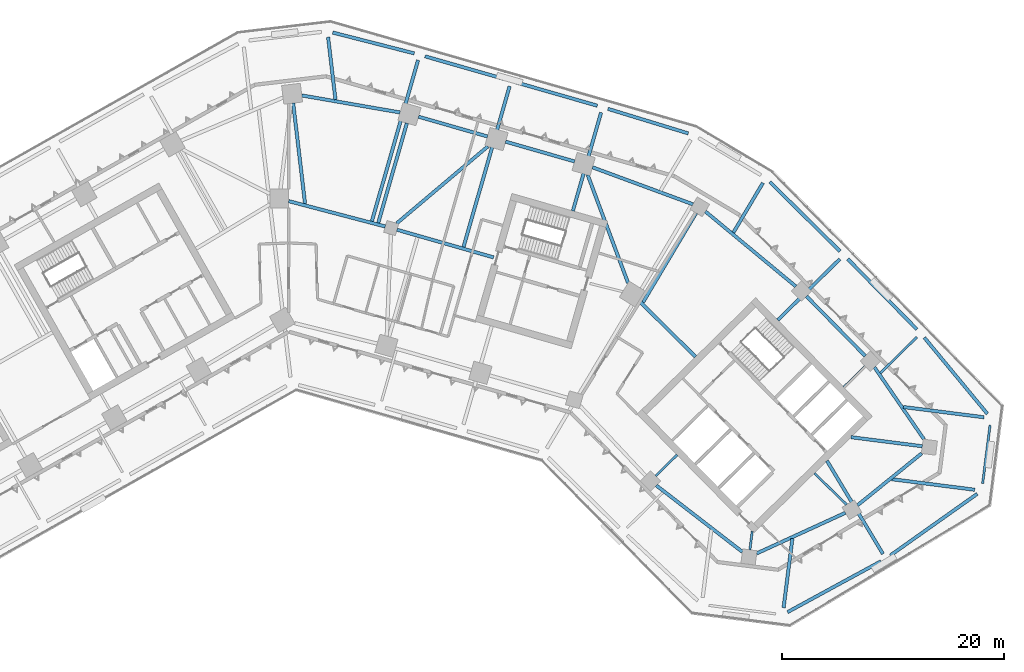
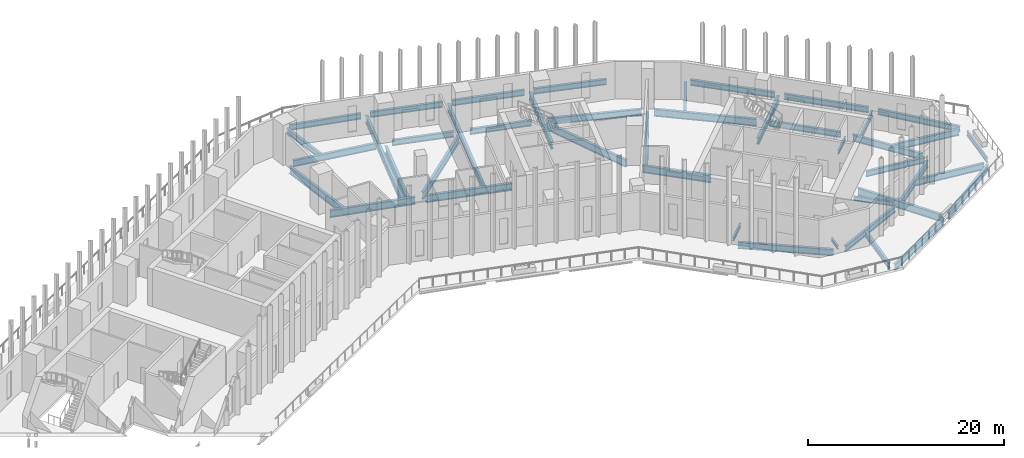
# One storey, part 3 of 17: 44 beams.
"""IFC4 building model written with IfcOpenShell, lengths in metres."""

from ifc_helpers import new_model, si_unit, direction, frame, origin, origin_2d, place, context, subcontext, project, spatial, i_section, extrude, material, material_profile, profile_set, type_object, element, save


model = new_model("IFC4")

# Units and contexts
model_context = context("Model", 3, precision=1e-05, world=origin(), true_north=direction((0.0, 1.0)))
body_context = subcontext(model_context, "Body", "Model", "MODEL_VIEW")
ifc_project = project(units=[si_unit("LENGTHUNIT", "METRE"), si_unit("AREAUNIT", "SQUARE_METRE"), si_unit("VOLUMEUNIT", "CUBIC_METRE"), si_unit("PLANEANGLEUNIT", "RADIAN"), si_unit("MASSUNIT", "GRAM", prefix="KILO")], contexts=[model_context])

# Site, building, storey
site_placement = place(None, origin())
site = spatial("IfcSite", under=ifc_project, at=site_placement, CompositionType="ELEMENT")
building_placement = place(site_placement, origin())
building = spatial("IfcBuilding", under=site, at=building_placement, Name="Binnacle Exchange Tower", CompositionType="ELEMENT")
storey_placement = place(building_placement, frame((0.0, 0.0, 26.5)))
storey = spatial("IfcBuildingStorey", under=building, at=storey_placement, Name="L05", CompositionType="ELEMENT", Elevation=26.5)

# Beams
ifc_material = material(Name="Steel S355 (SHN355)", Category="steel")
ifc_material_profile_1 = material_profile(ifc_material, i_section(OverallWidth=0.200927734375, OverallDepth=0.60595703125, WebThickness=0.011962890625, FlangeThickness=0.02001953125, FilletRadius=0.02197265625, at=origin_2d()), Name="H 606x201x12x20")
ifc_profile_set_1 = profile_set([ifc_material_profile_1], Name="Steel S355 (SHN355)")
beam_type_1 = type_object("IfcBeamType", Name="Edge girder H 606x201x12x20 Steel S355 (SHN355)", PredefinedType="SPANDREL", material=ifc_profile_set_1)
beam_1_placement = place(storey_placement, frame((63.271728515625, 39.56591796875, -0.623046875), z_axis=(-0.126220609822, -0.992002196397, 0.0), x_axis=(0.992002196397, -0.126220609822, 0.0)))
element("IfcBeam", 1, at=beam_1_placement, inside=storey, type_object=beam_type_1, Name="S:BM:edge:L05:075", PredefinedType="SPANDREL", context=body_context, shape_type="SweptSolid", body=[
    extrude(i_section(OverallWidth=0.200927734375, OverallDepth=0.60595703125, WebThickness=0.011962890625, FlangeThickness=0.02001953125, FilletRadius=0.02197265625, at=origin_2d()), origin(), (0.0, 0.0, 1.0), 5.319091796875),
])
ifc_material_profile_2 = material_profile(ifc_material, i_section(OverallWidth=0.300048828125, OverallDepth=0.699951171875, WebThickness=0.012939453125, FlangeThickness=0.02392578125, FilletRadius=0.028076171875, at=origin_2d()), Name="H 700x300x13x24")
ifc_profile_set_2 = profile_set([ifc_material_profile_2], Name="Steel S355 (SHN355)")
beam_type_2 = type_object("IfcBeamType", Name="Edge girder H 700x300x13x24 Steel S355 (SHN355)", PredefinedType="SPANDREL", material=ifc_profile_set_2)
beam_2_placement = place(storey_placement, frame((3.970703125, 74.985595703125, -0.669921875), z_axis=(0.96888078872, -0.247527811062, 0.0), x_axis=(0.247527811062, 0.96888078872, 0.0)))
element("IfcBeam", 2, at=beam_2_placement, inside=storey, type_object=beam_type_2, Name="S:BM:edge:L05:046", PredefinedType="SPANDREL", context=body_context, shape_type="SweptSolid", body=[
    extrude(i_section(OverallWidth=0.300048828125, OverallDepth=0.699951171875, WebThickness=0.012939453125, FlangeThickness=0.02392578125, FilletRadius=0.028076171875, at=origin_2d()), origin(), (0.0, 0.0, 1.0), 7.589599609375),
])
beam_3_placement = place(storey_placement, frame((12.289306640625, 72.84521484375, -0.669921875), z_axis=(0.961270944274, -0.275605100996, 0.0), x_axis=(0.275605100996, 0.961270944274, 0.0)))
element("IfcBeam", 3, at=beam_3_placement, inside=storey, type_object=beam_type_2, Name="S:BM:edge:L05:050", PredefinedType="SPANDREL", context=body_context, shape_type="SweptSolid", body=[
    extrude(i_section(OverallWidth=0.300048828125, OverallDepth=0.699951171875, WebThickness=0.012939453125, FlangeThickness=0.02392578125, FilletRadius=0.028076171875, at=origin_2d()), origin(), (0.0, 0.0, 1.0), 7.586181640625),
])
beam_4_placement = place(storey_placement, frame((17.92919921875, 65.610595703125, -0.669921875), z_axis=(-0.961261624999, 0.275637603213, 0.0), x_axis=(-0.275637603213, -0.961261624999, 0.0)))
element("IfcBeam", 4, at=beam_4_placement, inside=storey, type_object=beam_type_2, Name="S:BM:edge:L05:052", PredefinedType="SPANDREL", context=body_context, shape_type="SweptSolid", body=[
    extrude(i_section(OverallWidth=0.300048828125, OverallDepth=0.699951171875, WebThickness=0.012939453125, FlangeThickness=0.02392578125, FilletRadius=0.028076171875, at=origin_2d()), origin(), (0.0, 0.0, 1.0), 6.472900390625),
])
beam_5_placement = place(storey_placement, frame((20.54296875, 70.478759765625, -0.669921875), z_axis=(0.961262417922, -0.275634837948, 0.0), x_axis=(0.275634837948, 0.961262417922, 0.0)))
element("IfcBeam", 5, at=beam_5_placement, inside=storey, type_object=beam_type_2, Name="S:BM:edge:L05:054", PredefinedType="SPANDREL", context=body_context, shape_type="SweptSolid", body=[
    extrude(i_section(OverallWidth=0.300048828125, OverallDepth=0.699951171875, WebThickness=0.012939453125, FlangeThickness=0.02392578125, FilletRadius=0.028076171875, at=origin_2d()), origin(), (0.0, 0.0, 1.0), 7.58642578125),
])
beam_6_placement = place(storey_placement, frame((25.78564453125, 63.35791015625, -0.669921875), z_axis=(-0.961271618025, 0.275602751036, 0.0), x_axis=(-0.275602751036, -0.961271618025, 0.0)))
element("IfcBeam", 6, at=beam_6_placement, inside=storey, type_object=beam_type_2, Name="S:BM:edge:L05:056", PredefinedType="SPANDREL", context=body_context, shape_type="SweptSolid", body=[
    extrude(i_section(OverallWidth=0.300048828125, OverallDepth=0.699951171875, WebThickness=0.012939453125, FlangeThickness=0.02392578125, FilletRadius=0.028076171875, at=origin_2d()), origin(), (0.0, 0.0, 1.0), 6.472900390625),
])
beam_7_placement = place(storey_placement, frame((28.794189453125, 68.103515625, -0.669921875), z_axis=(0.956298600783, -0.292391836653, 0.0), x_axis=(0.292391836653, 0.956298600783, 0.0)))
element("IfcBeam", 7, at=beam_7_placement, inside=storey, type_object=beam_type_2, Name="S:BM:edge:L05:058", PredefinedType="SPANDREL", context=body_context, shape_type="SweptSolid", body=[
    extrude(i_section(OverallWidth=0.300048828125, OverallDepth=0.699951171875, WebThickness=0.012939453125, FlangeThickness=0.02392578125, FilletRadius=0.028076171875, at=origin_2d()), origin(), (0.0, 0.0, 1.0), 7.58740234375),
])
beam_8_placement = place(storey_placement, frame((52.010986328125, 45.802978515625, -0.669921875), z_axis=(-0.700905226564, 0.713254417004, 0.0), x_axis=(-0.713254417004, -0.700905226564, 0.0)))
element("IfcBeam", 8, at=beam_8_placement, inside=storey, type_object=beam_type_2, Name="S:BM:edge:L05:070", PredefinedType="SPANDREL", context=body_context, shape_type="SweptSolid", body=[
    extrude(i_section(OverallWidth=0.300048828125, OverallDepth=0.699951171875, WebThickness=0.012939453125, FlangeThickness=0.02392578125, FilletRadius=0.028076171875, at=origin_2d()), origin(), (0.0, 0.0, 1.0), 7.57177734375),
])
ifc_material_profile_3 = material_profile(ifc_material, i_section(OverallWidth=0.302001953125, OverallDepth=0.7080078125, WebThickness=0.014892578125, FlangeThickness=0.028076171875, FilletRadius=0.028076171875, at=origin_2d()), Name="H 708x302x15x28")
ifc_profile_set_3 = profile_set([ifc_material_profile_3], Name="Steel S355 (SHN355)")
beam_type_3 = type_object("IfcBeamType", Name="Edge girder H 708x302x15x28 Steel S355 (SHN355)", PredefinedType="SPANDREL", material=ifc_profile_set_3)
beam_9_placement = place(storey_placement, frame((42.215576171875, 27.99365234375, -0.674072265625), z_axis=(0.909179052108, 0.416405392866, 0.0), x_axis=(-0.416405392866, 0.909179052108, 0.0)))
element("IfcBeam", 9, at=beam_9_placement, inside=storey, type_object=beam_type_3, Name="S:BM:edge:L05:064", PredefinedType="SPANDREL", context=body_context, shape_type="SweptSolid", body=[
    extrude(i_section(OverallWidth=0.302001953125, OverallDepth=0.7080078125, WebThickness=0.014892578125, FlangeThickness=0.028076171875, FilletRadius=0.028076171875, at=origin_2d()), origin(), (0.0, 0.0, 1.0), 8.801025390625),
])
beam_10_placement = place(storey_placement, frame((43.398193359375, 61.51220703125, -0.674072265625), z_axis=(0.711633547042, -0.702550848497, 0.0), x_axis=(0.702550848497, 0.711633547042, 0.0)))
element("IfcBeam", 10, at=beam_10_placement, inside=storey, type_object=beam_type_3, Name="S:BM:edge:L05:065", PredefinedType="SPANDREL", context=body_context, shape_type="SweptSolid", body=[
    extrude(i_section(OverallWidth=0.302001953125, OverallDepth=0.7080078125, WebThickness=0.014892578125, FlangeThickness=0.028076171875, FilletRadius=0.028076171875, at=origin_2d()), origin(), (0.0, 0.0, 1.0), 8.897216796875),
])
beam_11_placement = place(storey_placement, frame((50.436279296875, 54.553466796875, -0.674072265625), z_axis=(0.700891088092, -0.713268310408, 0.0), x_axis=(0.713268310408, 0.700891088092, 0.0)))
element("IfcBeam", 11, at=beam_11_placement, inside=storey, type_object=beam_type_3, Name="S:BM:edge:L05:068", PredefinedType="SPANDREL", context=body_context, shape_type="SweptSolid", body=[
    extrude(i_section(OverallWidth=0.302001953125, OverallDepth=0.7080078125, WebThickness=0.014892578125, FlangeThickness=0.028076171875, FilletRadius=0.028076171875, at=origin_2d()), origin(), (0.0, 0.0, 1.0), 8.89599609375),
])
beam_12_placement = place(storey_placement, frame((57.341796875, 47.46484375, -0.674072265625), z_axis=(0.63729683622, -0.770618415653, 0.0), x_axis=(0.770618415653, 0.63729683622, 0.0)))
element("IfcBeam", 12, at=beam_12_placement, inside=storey, type_object=beam_type_3, Name="S:BM:edge:L05:073", PredefinedType="SPANDREL", context=body_context, shape_type="SweptSolid", body=[
    extrude(i_section(OverallWidth=0.302001953125, OverallDepth=0.7080078125, WebThickness=0.014892578125, FlangeThickness=0.028076171875, FilletRadius=0.028076171875, at=origin_2d()), origin(), (0.0, 0.0, 1.0), 8.928955078125),
])
ifc_material_profile_4 = material_profile(ifc_material, i_section(OverallWidth=0.300048828125, OverallDepth=0.800048828125, WebThickness=0.013916015625, FlangeThickness=0.02587890625, FilletRadius=0.028076171875, at=origin_2d()), Name="H 800x300x14x26")
ifc_profile_set_4 = profile_set([ifc_material_profile_4], Name="Steel S355 (SHN355)")
beam_type_4 = type_object("IfcBeamType", Name="Edge girder H 800x300x14x26 Steel S355 (SHN355)", PredefinedType="SPANDREL", material=ifc_profile_set_4)
beam_13_placement = place(storey_placement, frame((10.047607421875, 67.77490234375, -0.719970703125), z_axis=(-0.985312460293, 0.17076110679, 0.0), x_axis=(-0.17076110679, -0.985312460293, 0.0)))
element("IfcBeam", 13, at=beam_13_placement, inside=storey, type_object=beam_type_4, Name="S:BM:edge:L05:049", PredefinedType="SPANDREL", context=body_context, shape_type="SweptSolid", body=[
    extrude(i_section(OverallWidth=0.300048828125, OverallDepth=0.800048828125, WebThickness=0.013916015625, FlangeThickness=0.02587890625, FilletRadius=0.028076171875, at=origin_2d()), origin(), (0.0, 0.0, 1.0), 9.005859375),
])
beam_14_placement = place(storey_placement, frame((53.42431640625, 27.28369140625, -0.719970703125), z_axis=(-0.878284521439, -0.478138368468, 0.0), x_axis=(0.478138368468, -0.878284521439, 0.0)))
element("IfcBeam", 14, at=beam_14_placement, inside=storey, type_object=beam_type_4, Name="S:BM:edge:L05:071", PredefinedType="SPANDREL", context=body_context, shape_type="SweptSolid", body=[
    extrude(i_section(OverallWidth=0.300048828125, OverallDepth=0.800048828125, WebThickness=0.013916015625, FlangeThickness=0.02587890625, FilletRadius=0.028076171875, at=origin_2d()), origin(), (0.0, 0.0, 1.0), 9.588134765625),
])
beam_15_placement = place(storey_placement, frame((57.305419921875, 38.299072265625, -0.719970703125), z_axis=(-0.566409202341, 0.82412415054, 0.0), x_axis=(-0.82412415054, -0.566409202341, 0.0)))
element("IfcBeam", 15, at=beam_15_placement, inside=storey, type_object=beam_type_4, Name="S:BM:edge:L05:072", PredefinedType="SPANDREL", context=body_context, shape_type="SweptSolid", body=[
    extrude(i_section(OverallWidth=0.300048828125, OverallDepth=0.800048828125, WebThickness=0.013916015625, FlangeThickness=0.02587890625, FilletRadius=0.028076171875, at=origin_2d()), origin(), (0.0, 0.0, 1.0), 7.8828125),
])
beam_16_placement = place(storey_placement, frame((62.111083984375, 33.36767578125, -0.719970703125), z_axis=(-0.815901600123, -0.578190780726, 0.0), x_axis=(0.578190780726, -0.815901600123, 0.0)))
element("IfcBeam", 16, at=beam_16_placement, inside=storey, type_object=beam_type_4, Name="S:BM:edge:L05:074", PredefinedType="SPANDREL", context=body_context, shape_type="SweptSolid", body=[
    extrude(i_section(OverallWidth=0.300048828125, OverallDepth=0.800048828125, WebThickness=0.013916015625, FlangeThickness=0.02587890625, FilletRadius=0.028076171875, at=origin_2d()), origin(), (0.0, 0.0, 1.0), 9.60693359375),
])
ifc_material_profile_5 = material_profile(ifc_material, i_section(OverallWidth=0.302001953125, OverallDepth=0.80810546875, WebThickness=0.01611328125, FlangeThickness=0.030029296875, FilletRadius=0.028076171875, at=origin_2d()), Name="H 808x302x16x30")
ifc_profile_set_5 = profile_set([ifc_material_profile_5], Name="Steel S355 (SHN355)")
beam_type_5 = type_object("IfcBeamType", Name="Edge girder H 808x302x16x30 Steel S355 (SHN355)", PredefinedType="SPANDREL", material=ifc_profile_set_5)
beam_17_placement = place(storey_placement, frame((33.160400390625, 34.12890625, -0.72412109375), z_axis=(0.791533490776, -0.611125791454, 0.0), x_axis=(0.611125791454, 0.791533490776, 0.0)))
element("IfcBeam", 17, at=beam_17_placement, inside=storey, type_object=beam_type_5, Name="S:BM:edge:L05:060", PredefinedType="SPANDREL", context=body_context, shape_type="SweptSolid", body=[
    extrude(i_section(OverallWidth=0.302001953125, OverallDepth=0.80810546875, WebThickness=0.01611328125, FlangeThickness=0.030029296875, FilletRadius=0.028076171875, at=origin_2d()), origin(), (0.0, 0.0, 1.0), 9.80712890625),
])
beam_18_placement = place(storey_placement, frame((36.464599609375, 59.490966796875, -0.72412109375), z_axis=(-0.938368148393, 0.345637408395, 0.0), x_axis=(-0.345637408395, -0.938368148393, 0.0)))
element("IfcBeam", 18, at=beam_18_placement, inside=storey, type_object=beam_type_5, Name="S:BM:edge:L05:061", PredefinedType="SPANDREL", context=body_context, shape_type="SweptSolid", body=[
    extrude(i_section(OverallWidth=0.302001953125, OverallDepth=0.80810546875, WebThickness=0.01611328125, FlangeThickness=0.030029296875, FilletRadius=0.028076171875, at=origin_2d()), origin(), (0.0, 0.0, 1.0), 9.6572265625),
])
beam_19_placement = place(storey_placement, frame((51.322265625, 32.343505859375, -0.72412109375), z_axis=(0.777568489665, 0.628798253719, 0.0), x_axis=(-0.628798253719, 0.777568489665, 0.0)))
element("IfcBeam", 19, at=beam_19_placement, inside=storey, type_object=beam_type_5, Name="S:BM:edge:L05:069", PredefinedType="SPANDREL", context=body_context, shape_type="SweptSolid", body=[
    extrude(i_section(OverallWidth=0.302001953125, OverallDepth=0.80810546875, WebThickness=0.01611328125, FlangeThickness=0.030029296875, FilletRadius=0.028076171875, at=origin_2d()), origin(), (0.0, 0.0, 1.0), 7.428955078125),
])
ifc_material_profile_6 = material_profile(ifc_material, i_section(OverallWidth=0.300048828125, OverallDepth=0.89990234375, WebThickness=0.01611328125, FlangeThickness=0.028076171875, FilletRadius=0.028076171875, at=origin_2d()), Name="H 900x300x16x28")
ifc_profile_set_6 = profile_set([ifc_material_profile_6], Name="Steel S355 (SHN355)")
beam_type_6 = type_object("IfcBeamType", Name="Edge girder H 900x300x16x28 Steel S355 (SHN355)", PredefinedType="SPANDREL", material=ifc_profile_set_6)
beam_20_placement = place(storey_placement, frame((45.7451171875, 52.084228515625, -0.77001953125), z_axis=(-0.769906025895, 0.638157277864, 0.0), x_axis=(-0.638157277864, -0.769906025895, 0.0)))
element("IfcBeam", 20, at=beam_20_placement, inside=storey, type_object=beam_type_6, Name="S:BM:edge:L05:067", PredefinedType="SPANDREL", context=body_context, shape_type="SweptSolid", body=[
    extrude(i_section(OverallWidth=0.300048828125, OverallDepth=0.89990234375, WebThickness=0.01611328125, FlangeThickness=0.028076171875, FilletRadius=0.028076171875, at=origin_2d()), origin(), (0.0, 0.0, 1.0), 10.59033203125),
])
ifc_material_profile_7 = material_profile(ifc_material, i_section(OverallWidth=0.199951171875, OverallDepth=0.39990234375, WebThickness=0.008056640625, FlangeThickness=0.012939453125, FilletRadius=0.01611328125, at=origin_2d()), Name="H 400x200x8x13")
ifc_profile_set_7 = profile_set([ifc_material_profile_7], Name="Steel S355 (SHN355)")
beam_type_7 = type_object("IfcBeamType", Name="Floor beam H 400x200x8x13 Steel S355 (SHN355)", PredefinedType="BEAM", material=ifc_profile_set_7)
beam_21_placement = place(storey_placement, frame((41.601806640625, 28.319580078125, -0.52001953125), z_axis=(0.126197116971, 0.992005185303, 0.0), x_axis=(-0.992005185303, 0.126197116971, 0.0)))
element("IfcBeam", 21, at=beam_21_placement, inside=storey, type_object=beam_type_7, Name="S:BM:cross:L05:118", PredefinedType="BEAM", context=body_context, shape_type="SweptSolid", body=[
    extrude(i_section(OverallWidth=0.199951171875, OverallDepth=0.39990234375, WebThickness=0.008056640625, FlangeThickness=0.012939453125, FilletRadius=0.01611328125, at=origin_2d()), origin(), (0.0, 0.0, 1.0), 1.68115234375),
])
ifc_material_profile_8 = material_profile(ifc_material, i_section(OverallWidth=0.199951171875, OverallDepth=0.449951171875, WebThickness=0.009033203125, FlangeThickness=0.013916015625, FilletRadius=0.01806640625, at=origin_2d()), Name="H 450x200x9x14")
ifc_profile_set_8 = profile_set([ifc_material_profile_8], Name="Steel S355 (SHN355)")
beam_type_8 = type_object("IfcBeamType", Name="Floor beam H 450x200x9x14 Steel S355 (SHN355)", PredefinedType="BEAM", material=ifc_profile_set_8)
for number, where, z_axis, x_axis, name in (
    (22, (33.104736328125, 34.985595703125, -0.544921875), (0.713254209224, 0.700905438004, 0.0), (-0.700905438004, 0.713254209224, 0.0), "S:BM:cross:L05:114"),
    (23, (52.003173828125, 44.8837890625, -0.544921875), (-0.713254209224, -0.700905438004, 0.0), (0.700905438004, -0.713254209224, 0.0), "S:BM:cross:L05:122"),
):
    element("IfcBeam", number, at=place(storey_placement, frame(where, z_axis=z_axis, x_axis=x_axis)), inside=storey, type_object=beam_type_8, Name=name, PredefinedType="BEAM", context=body_context, shape_type="SweptSolid", body=[
        extrude(i_section(OverallWidth=0.199951171875, OverallDepth=0.449951171875, WebThickness=0.009033203125, FlangeThickness=0.013916015625, FilletRadius=0.01806640625, at=origin_2d()), origin(), (0.0, 0.0, 1.0), 2.70849609375),
    ])
ifc_material_profile_9 = material_profile(ifc_material, i_section(OverallWidth=0.200927734375, OverallDepth=0.60595703125, WebThickness=0.011962890625, FlangeThickness=0.02001953125, FilletRadius=0.02197265625, at=origin_2d()), Name="H 606x201x12x20")
ifc_profile_set_9 = profile_set([ifc_material_profile_9], Name="Steel S355 (SHN355)")
beam_type_9 = type_object("IfcBeamType", Name="Floor beam H 606x201x12x20 Steel S355 (SHN355)", PredefinedType="BEAM", material=ifc_profile_set_9)
beam_22_placement = place(storey_placement, frame((56.665283203125, 47.501220703125, -0.623046875), z_axis=(-0.713253693622, -0.70090596269, 0.0), x_axis=(0.70090596269, -0.713253693622, 0.0)))
element("IfcBeam", 24, at=beam_22_placement, inside=storey, type_object=beam_type_9, Name="S:BM:cross:L05:124", PredefinedType="BEAM", context=body_context, shape_type="SweptSolid", body=[
    extrude(i_section(OverallWidth=0.200927734375, OverallDepth=0.60595703125, WebThickness=0.011962890625, FlangeThickness=0.02001953125, FilletRadius=0.02197265625, at=origin_2d()), origin(), (0.0, 0.0, 1.0), 4.60693359375),
])
ifc_material_profile_10 = material_profile(ifc_material, i_section(OverallWidth=0.300048828125, OverallDepth=0.699951171875, WebThickness=0.012939453125, FlangeThickness=0.02392578125, FilletRadius=0.028076171875, at=origin_2d()), Name="H 700x300x13x24")
ifc_profile_set_10 = profile_set([ifc_material_profile_10], Name="Steel S355 (SHN355)")
beam_type_10 = type_object("IfcBeamType", Name="Floor beam H 700x300x13x24 Steel S355 (SHN355)", PredefinedType="BEAM", material=ifc_profile_set_10)
beam_23_placement = place(storey_placement, frame((3.5498046875, 74.571044921875, -0.669921875), z_axis=(0.117529616855, -0.993069377819, 0.0), x_axis=(0.993069377819, 0.117529616855, 0.0)))
element("IfcBeam", 25, at=beam_23_placement, inside=storey, type_object=beam_type_10, Name="S:BM:cross:L05:104", PredefinedType="BEAM", context=body_context, shape_type="SweptSolid", body=[
    extrude(i_section(OverallWidth=0.300048828125, OverallDepth=0.699951171875, WebThickness=0.012939453125, FlangeThickness=0.02392578125, FilletRadius=0.028076171875, at=origin_2d()), origin(), (0.0, 0.0, 1.0), 5.67919921875),
])
beam_24_placement = place(storey_placement, frame((42.778076171875, 61.419189453125, -0.669921875), z_axis=(-0.511272874429, -0.859418435847, 0.0), x_axis=(0.859418435847, -0.511272874429, 0.0)))
element("IfcBeam", 26, at=beam_24_placement, inside=storey, type_object=beam_type_10, Name="S:BM:cross:L05:119", PredefinedType="BEAM", context=body_context, shape_type="SweptSolid", body=[
    extrude(i_section(OverallWidth=0.300048828125, OverallDepth=0.699951171875, WebThickness=0.012939453125, FlangeThickness=0.02392578125, FilletRadius=0.028076171875, at=origin_2d()), origin(), (0.0, 0.0, 1.0), 5.208251953125),
])
beam_25_placement = place(storey_placement, frame((44.643798828125, 23.091552734375, -0.669921875), z_axis=(0.126227881038, 0.992001271193, 0.0), x_axis=(-0.992001271193, 0.126227881038, 0.0)))
element("IfcBeam", 27, at=beam_25_placement, inside=storey, type_object=beam_type_10, Name="S:BM:cross:L05:120", PredefinedType="BEAM", context=body_context, shape_type="SweptSolid", body=[
    extrude(i_section(OverallWidth=0.300048828125, OverallDepth=0.699951171875, WebThickness=0.012939453125, FlangeThickness=0.02392578125, FilletRadius=0.028076171875, at=origin_2d()), origin(), (0.0, 0.0, 1.0), 6.287841796875),
])
beam_26_placement = place(storey_placement, frame((57.154296875, 37.6630859375, -0.669921875), z_axis=(-0.992006658356, 0.126185537116, 0.0), x_axis=(-0.126185537116, -0.992006658356, 0.0)))
element("IfcBeam", 28, at=beam_26_placement, inside=storey, type_object=beam_type_10, Name="S:BM:cross:L05:125", PredefinedType="BEAM", context=body_context, shape_type="SweptSolid", body=[
    extrude(i_section(OverallWidth=0.300048828125, OverallDepth=0.699951171875, WebThickness=0.012939453125, FlangeThickness=0.02392578125, FilletRadius=0.028076171875, at=origin_2d()), origin(), (0.0, 0.0, 1.0), 6.4814453125),
])
ifc_material_profile_11 = material_profile(ifc_material, i_section(OverallWidth=0.300048828125, OverallDepth=0.800048828125, WebThickness=0.013916015625, FlangeThickness=0.02587890625, FilletRadius=0.028076171875, at=origin_2d()), Name="H 800x300x14x26")
ifc_profile_set_11 = profile_set([ifc_material_profile_11], Name="Steel S355 (SHN355)")
beam_type_11 = type_object("IfcBeamType", Name="Floor beam H 800x300x14x26 Steel S355 (SHN355)", PredefinedType="BEAM", material=ifc_profile_set_11)
beam_27_placement = place(storey_placement, frame((62.720458984375, 40.277587890625, -0.719970703125), z_axis=(-0.992000413131, 0.126234624202, 0.0), x_axis=(-0.126234624202, -0.992000413131, 0.0)))
element("IfcBeam", 29, at=beam_27_placement, inside=storey, type_object=beam_type_11, Name="S:BM:cross:L05:127", PredefinedType="BEAM", context=body_context, shape_type="SweptSolid", body=[
    extrude(i_section(OverallWidth=0.300048828125, OverallDepth=0.800048828125, WebThickness=0.013916015625, FlangeThickness=0.02587890625, FilletRadius=0.028076171875, at=origin_2d()), origin(), (0.0, 0.0, 1.0), 7.333740234375),
])
ifc_material_profile_12 = material_profile(ifc_material, i_section(OverallWidth=0.302001953125, OverallDepth=0.80810546875, WebThickness=0.01611328125, FlangeThickness=0.030029296875, FilletRadius=0.028076171875, at=origin_2d()), Name="H 808x302x16x30")
ifc_profile_set_12 = profile_set([ifc_material_profile_12], Name="Steel S355 (SHN355)")
beam_type_12 = type_object("IfcBeamType", Name="Floor beam H 808x302x16x30 Steel S355 (SHN355)", PredefinedType="BEAM", material=ifc_profile_set_12)
beam_28_placement = place(storey_placement, frame((49.72900390625, 54.5595703125, -0.72412109375), z_axis=(-0.713254513072, -0.700905128803, 0.0), x_axis=(0.700905128803, -0.713254513072, 0.0)))
element("IfcBeam", 30, at=beam_28_placement, inside=storey, type_object=beam_type_12, Name="S:BM:cross:L05:121", PredefinedType="BEAM", context=body_context, shape_type="SweptSolid", body=[
    extrude(i_section(OverallWidth=0.302001953125, OverallDepth=0.80810546875, WebThickness=0.01611328125, FlangeThickness=0.030029296875, FilletRadius=0.028076171875, at=origin_2d()), origin(), (0.0, 0.0, 1.0), 7.8681640625),
])
beam_29_placement = place(storey_placement, frame((61.888427734375, 33.73779296875, -0.72412109375), z_axis=(-0.992002917096, 0.12621494552, 0.0), x_axis=(-0.12621494552, -0.992002917096, 0.0)))
element("IfcBeam", 31, at=beam_29_placement, inside=storey, type_object=beam_type_12, Name="S:BM:cross:L05:126", PredefinedType="BEAM", context=body_context, shape_type="SweptSolid", body=[
    extrude(i_section(OverallWidth=0.302001953125, OverallDepth=0.80810546875, WebThickness=0.01611328125, FlangeThickness=0.030029296875, FilletRadius=0.028076171875, at=origin_2d()), origin(), (0.0, 0.0, 1.0), 7.551513671875),
])
ifc_material_profile_13 = material_profile(ifc_material, i_section(OverallWidth=0.302001953125, OverallDepth=0.912109375, WebThickness=0.01806640625, FlangeThickness=0.033935546875, FilletRadius=0.028076171875, at=origin_2d()), Name="H 912x302x18x34")
ifc_profile_set_13 = profile_set([ifc_material_profile_13], Name="Steel S355 (SHN355)")
beam_type_13 = type_object("IfcBeamType", Name="Floor beam H 912x302x18x34 Steel S355 (SHN355)", PredefinedType="BEAM", material=ifc_profile_set_13)
beam_30_placement = place(storey_placement, frame((28.17822265625, 67.769287109375, -0.77587890625), z_axis=(-0.275646254267, -0.961259144304, 0.0), x_axis=(0.961259144304, -0.275646254267, 0.0)))
element("IfcBeam", 32, at=beam_30_placement, inside=storey, type_object=beam_type_13, Name="S:BM:cross:L05:112", PredefinedType="BEAM", context=body_context, shape_type="SweptSolid", body=[
    extrude(i_section(OverallWidth=0.302001953125, OverallDepth=0.912109375, WebThickness=0.01806640625, FlangeThickness=0.033935546875, FilletRadius=0.028076171875, at=origin_2d()), origin(), (0.0, 0.0, 1.0), 9.235107421875),
])
ifc_material_profile_14 = material_profile(ifc_material, i_section(OverallWidth=0.302978515625, OverallDepth=0.91796875, WebThickness=0.01904296875, FlangeThickness=0.037109375, FilletRadius=0.028076171875, at=origin_2d()), Name="H 918x303x19x37")
ifc_profile_set_14 = profile_set([ifc_material_profile_14], Name="Steel S355 (SHN355)")
beam_type_14 = type_object("IfcBeamType", Name="Floor beam H 918x303x19x37 Steel S355 (SHN355)", PredefinedType="BEAM", material=ifc_profile_set_14)
beam_31_placement = place(storey_placement, frame((0.39990234375, 68.6201171875, -0.779052734375), z_axis=(0.117562643201, -0.993065468599, 0.0), x_axis=(0.993065468599, 0.117562643201, 0.0)))
element("IfcBeam", 33, at=beam_31_placement, inside=storey, type_object=beam_type_14, Name="S:BM:cross:L05:103", PredefinedType="BEAM", context=body_context, shape_type="SweptSolid", body=[
    extrude(i_section(OverallWidth=0.302978515625, OverallDepth=0.91796875, WebThickness=0.01904296875, FlangeThickness=0.037109375, FilletRadius=0.028076171875, at=origin_2d()), origin(), (0.0, 0.0, 1.0), 9.14990234375),
])
beam_32_placement = place(storey_placement, frame((10.65576171875, 66.81201171875, -0.779052734375), z_axis=(-0.275626703457, -0.961264750389, 0.0), x_axis=(0.961264750389, -0.275626703457, 0.0)))
element("IfcBeam", 34, at=beam_32_placement, inside=storey, type_object=beam_type_14, Name="S:BM:cross:L05:107", PredefinedType="BEAM", context=body_context, shape_type="SweptSolid", body=[
    extrude(i_section(OverallWidth=0.302978515625, OverallDepth=0.91796875, WebThickness=0.01904296875, FlangeThickness=0.037109375, FilletRadius=0.028076171875, at=origin_2d()), origin(), (0.0, 0.0, 1.0), 9.363525390625),
])
beam_33_placement = place(storey_placement, frame((11.6708984375, 72.50244140625, -0.779052734375), z_axis=(-0.275622715185, -0.961265893951, 0.0), x_axis=(0.961265893951, -0.275622715185, 0.0)))
element("IfcBeam", 35, at=beam_33_placement, inside=storey, type_object=beam_type_14, Name="S:BM:cross:L05:108", PredefinedType="BEAM", context=body_context, shape_type="SweptSolid", body=[
    extrude(i_section(OverallWidth=0.302978515625, OverallDepth=0.91796875, WebThickness=0.01904296875, FlangeThickness=0.037109375, FilletRadius=0.028076171875, at=origin_2d()), origin(), (0.0, 0.0, 1.0), 15.12646484375),
])
beam_34_placement = place(storey_placement, frame((19.924560546875, 70.135986328125, -0.779052734375), z_axis=(-0.275629445944, -0.961263964023, 0.0), x_axis=(0.961263964023, -0.275629445944, 0.0)))
element("IfcBeam", 36, at=beam_34_placement, inside=storey, type_object=beam_type_14, Name="S:BM:cross:L05:110", PredefinedType="BEAM", context=body_context, shape_type="SweptSolid", body=[
    extrude(i_section(OverallWidth=0.302978515625, OverallDepth=0.91796875, WebThickness=0.01904296875, FlangeThickness=0.037109375, FilletRadius=0.028076171875, at=origin_2d()), origin(), (0.0, 0.0, 1.0), 15.085205078125),
])
beam_35_placement = place(storey_placement, frame((36.752685546875, 58.703857421875, -0.779052734375), z_axis=(-0.511298188751, -0.859403375709, 0.0), x_axis=(0.859403375709, -0.511298188751, 0.0)))
element("IfcBeam", 37, at=beam_35_placement, inside=storey, type_object=beam_type_14, Name="S:BM:cross:L05:116", PredefinedType="BEAM", context=body_context, shape_type="SweptSolid", body=[
    extrude(i_section(OverallWidth=0.302978515625, OverallDepth=0.91796875, WebThickness=0.01904296875, FlangeThickness=0.037109375, FilletRadius=0.028076171875, at=origin_2d()), origin(), (0.0, 0.0, 1.0), 9.385986328125),
])
beam_36_placement = place(storey_placement, frame((53.606201171875, 27.95166015625, -0.779052734375), z_axis=(-0.515037836235, 0.857167444112, 0.0), x_axis=(-0.857167444112, -0.515037836235, 0.0)))
element("IfcBeam", 38, at=beam_36_placement, inside=storey, type_object=beam_type_14, Name="S:BM:cross:L05:123", PredefinedType="BEAM", context=body_context, shape_type="SweptSolid", body=[
    extrude(i_section(OverallWidth=0.302978515625, OverallDepth=0.91796875, WebThickness=0.01904296875, FlangeThickness=0.037109375, FilletRadius=0.028076171875, at=origin_2d()), origin(), (0.0, 0.0, 1.0), 9.800537109375),
])
ifc_material_profile_15 = material_profile(ifc_material, i_section(OverallWidth=0.200927734375, OverallDepth=0.506103515625, WebThickness=0.010986328125, FlangeThickness=0.01904296875, FilletRadius=0.02001953125, at=origin_2d()), Name="H 506x201x11x19")
ifc_profile_set_15 = profile_set([ifc_material_profile_15], Name="Steel S355 (SHN355)")
beam_type_15 = type_object("IfcBeamType", Name="Spine girder H 506x201x11x19 Steel S355 (SHN355)", PredefinedType="BEAM", material=ifc_profile_set_15)
beam_37_placement = place(storey_placement, frame((47.417236328125, 35.23095703125, -0.572998046875), z_axis=(0.717013275689, -0.697059511437, 0.0), x_axis=(0.697059511437, 0.717013275689, 0.0)))
element("IfcBeam", 39, at=beam_37_placement, inside=storey, type_object=beam_type_15, Name="S:BM:spine:L05:013", PredefinedType="BEAM", context=body_context, shape_type="SweptSolid", body=[
    extrude(i_section(OverallWidth=0.200927734375, OverallDepth=0.506103515625, WebThickness=0.010986328125, FlangeThickness=0.01904296875, FilletRadius=0.02001953125, at=origin_2d()), origin(), (0.0, 0.0, 1.0), 4.06201171875),
])
ifc_material_profile_16 = material_profile(ifc_material, i_section(OverallWidth=0.302001953125, OverallDepth=0.912109375, WebThickness=0.01806640625, FlangeThickness=0.033935546875, FilletRadius=0.028076171875, at=origin_2d()), Name="H 912x302x18x34")
ifc_profile_set_16 = profile_set([ifc_material_profile_16], Name="Steel S355 (SHN355)")
beam_type_16 = type_object("IfcBeamType", Name="Spine girder H 912x302x18x34 Steel S355 (SHN355)", PredefinedType="BEAM", material=ifc_profile_set_16)
beam_38_placement = place(storey_placement, frame((9.74658203125, 57.77734375, -0.77587890625), z_axis=(0.764072930463, 0.64512987602, 0.0), x_axis=(-0.64512987602, 0.764072930463, 0.0)))
element("IfcBeam", 40, at=beam_38_placement, inside=storey, type_object=beam_type_16, Name="S:BM:spine:L05:008", PredefinedType="BEAM", context=body_context, shape_type="SweptSolid", body=[
    extrude(i_section(OverallWidth=0.302001953125, OverallDepth=0.912109375, WebThickness=0.01806640625, FlangeThickness=0.033935546875, FilletRadius=0.028076171875, at=origin_2d()), origin(), (0.0, 0.0, 1.0), 10.755615234375),
])
beam_39_placement = place(storey_placement, frame((30.614501953125, 52.389892578125, -0.77587890625), z_axis=(-0.350104624168, 0.936710602126, 0.0), x_axis=(-0.936710602126, -0.350104624168, 0.0)))
element("IfcBeam", 41, at=beam_39_placement, inside=storey, type_object=beam_type_16, Name="S:BM:spine:L05:011", PredefinedType="BEAM", context=body_context, shape_type="SweptSolid", body=[
    extrude(i_section(OverallWidth=0.302001953125, OverallDepth=0.912109375, WebThickness=0.01806640625, FlangeThickness=0.033935546875, FilletRadius=0.028076171875, at=origin_2d()), origin(), (0.0, 0.0, 1.0), 10.4013671875),
])
ifc_material_profile_17 = material_profile(ifc_material, i_section(OverallWidth=0.302978515625, OverallDepth=0.91796875, WebThickness=0.01904296875, FlangeThickness=0.037109375, FilletRadius=0.028076171875, at=origin_2d()), Name="H 918x303x19x37")
ifc_profile_set_17 = profile_set([ifc_material_profile_17], Name="Steel S355 (SHN355)")
beam_type_17 = type_object("IfcBeamType", Name="Spine girder H 918x303x19x37 Steel S355 (SHN355)", PredefinedType="BEAM", material=ifc_profile_set_17)
beam_40_placement = place(storey_placement, frame((0.0, 59.77685546875, -0.779052734375), z_axis=(0.967208571477, -0.253983423202, 0.0), x_axis=(0.253983423202, 0.967208571477, 0.0)))
element("IfcBeam", 42, at=beam_40_placement, inside=storey, type_object=beam_type_17, Name="S:BM:spine:L05:006", PredefinedType="BEAM", context=body_context, shape_type="SweptSolid", body=[
    extrude(i_section(OverallWidth=0.302978515625, OverallDepth=0.91796875, WebThickness=0.01904296875, FlangeThickness=0.037109375, FilletRadius=0.028076171875, at=origin_2d()), origin(), (0.0, 0.0, 1.0), 9.00390625),
])
beam_41_placement = place(storey_placement, frame((9.76953125, 57.198486328125, -0.779052734375), z_axis=(0.961265329417, -0.275624684057, 0.0), x_axis=(0.275624684057, 0.961265329417, 0.0)))
element("IfcBeam", 43, at=beam_41_placement, inside=storey, type_object=beam_type_17, Name="S:BM:spine:L05:009", PredefinedType="BEAM", context=body_context, shape_type="SweptSolid", body=[
    extrude(i_section(OverallWidth=0.302978515625, OverallDepth=0.91796875, WebThickness=0.01904296875, FlangeThickness=0.037109375, FilletRadius=0.028076171875, at=origin_2d()), origin(), (0.0, 0.0, 1.0), 9.063232421875),
])
beam_42_placement = place(storey_placement, frame((31.60888671875, 50.773681640625, -0.779052734375), z_axis=(0.711013452478, -0.703178405809, 0.0), x_axis=(0.703178405809, 0.711013452478, 0.0)))
element("IfcBeam", 44, at=beam_42_placement, inside=storey, type_object=beam_type_17, Name="S:BM:spine:L05:012", PredefinedType="BEAM", context=body_context, shape_type="SweptSolid", body=[
    extrude(i_section(OverallWidth=0.302978515625, OverallDepth=0.91796875, WebThickness=0.01904296875, FlangeThickness=0.037109375, FilletRadius=0.028076171875, at=origin_2d()), origin(), (0.0, 0.0, 1.0), 7.166748046875),
])

save(model, "model.ifc")
